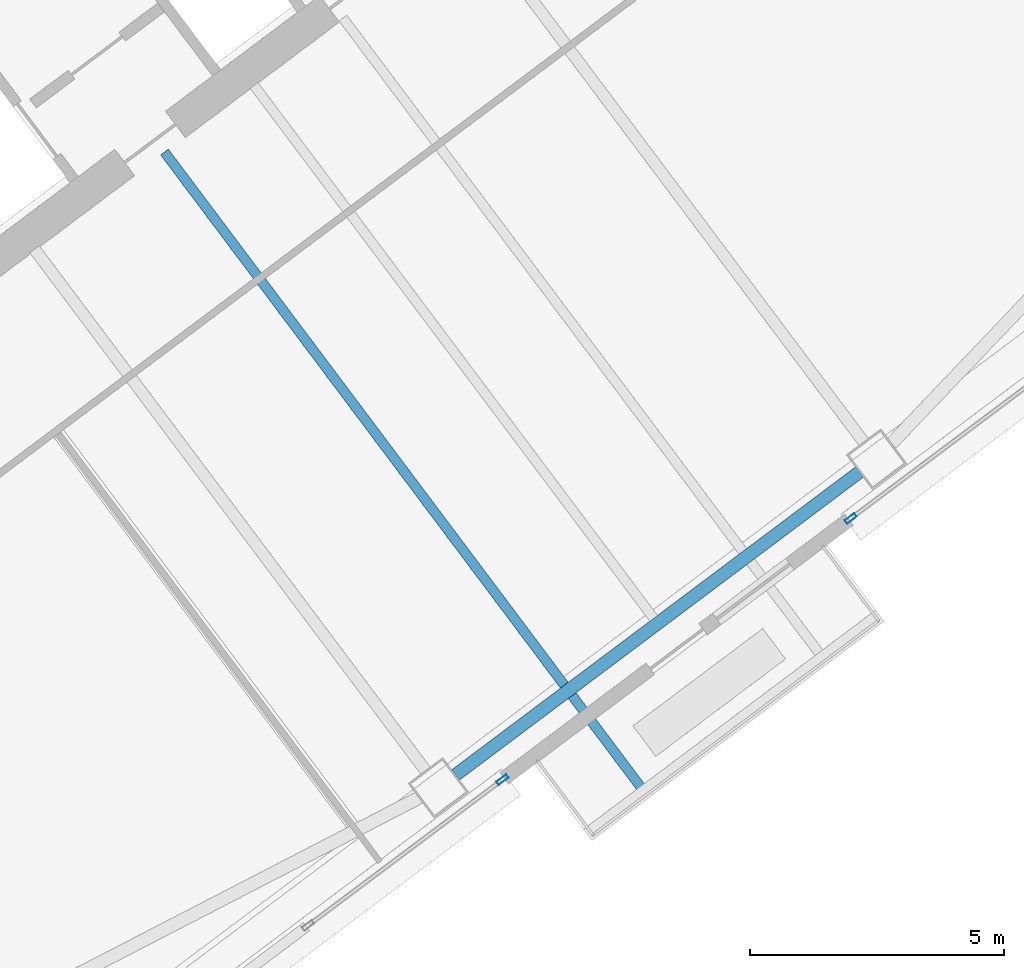
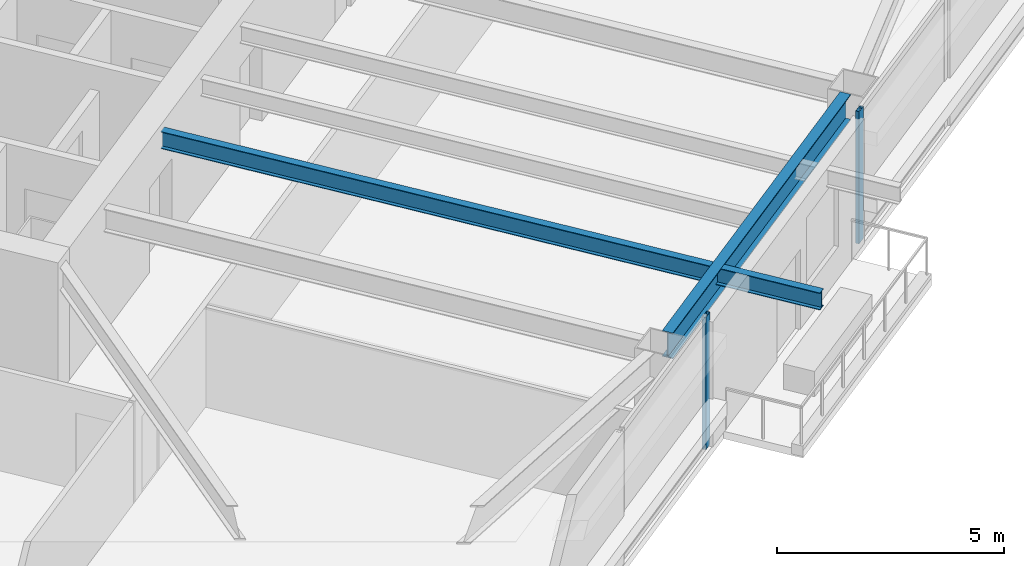
# One storey, part 26 of 51: 2 beams, 2 members, 2 elements without a shape of their own.
"""IFC4 building model written with IfcOpenShell, lengths in metres."""

from ifc_helpers import new_model, si_unit, direction, frame, origin, origin_2d, place, context, subcontext, project, spatial, hollow_rectangle, i_section, extrude, material, material_profile, profile_set, type_object, element, aggregate, save


model = new_model("IFC4")

# Units and contexts
model_context = context("Model", 3, precision=1e-05, world=origin(), true_north=direction((0.0, 1.0)))
body_context = subcontext(model_context, "Body", "Model", "MODEL_VIEW")
ifc_project = project(units=[si_unit("LENGTHUNIT", "METRE"), si_unit("AREAUNIT", "SQUARE_METRE"), si_unit("VOLUMEUNIT", "CUBIC_METRE"), si_unit("PLANEANGLEUNIT", "RADIAN"), si_unit("MASSUNIT", "GRAM", prefix="KILO")], contexts=[model_context])

# Site, building, storey
site_placement = place(None, origin())
site = spatial("IfcSite", under=ifc_project, at=site_placement, CompositionType="ELEMENT")
building_placement = place(site_placement, origin())
building = spatial("IfcBuilding", under=site, at=building_placement, Name="Tashvorn Skyway Center", CompositionType="ELEMENT")
storey_placement = place(building_placement, frame((0.0, 0.0, 49.449951171875)))
storey = spatial("IfcBuildingStorey", under=building, at=storey_placement, Name="L12", CompositionType="ELEMENT", Elevation=49.449951171875)

# Beams
ifc_material_1 = material(Name="Steel ASTM A992 Grade 50", Category="steel")
ifc_material_profile_1 = material_profile(ifc_material_1, i_section(OverallWidth=0.19091796875, OverallDepth=0.4599609375, WebThickness=0.010009765625, FlangeThickness=0.01611328125, at=origin_2d()), Name="W18X55")
ifc_profile_set_1 = profile_set([ifc_material_profile_1], Name="Steel ASTM A992 Grade 50")
beam_type_1 = type_object("IfcBeamType", Name="BM-JOIST-W18X55", PredefinedType="JOIST", material=ifc_profile_set_1)
beam_1_placement = place(storey_placement, frame((116.907958984375, 24.4560546875, 3.1201171875), z_axis=(0.600007430982, -0.79999442671, 0.0), x_axis=(0.79999442671, 0.600007430982, 0.0)))
element("IfcBeam", 1, at=beam_1_placement, inside=storey, type_object=beam_type_1, Name="Tower 2 L13 Terrace Cantilever Outlooker 1", PredefinedType="JOIST", context=body_context, shape_type="SweptSolid", body=[
    extrude(i_section(OverallWidth=0.19091796875, OverallDepth=0.4599609375, WebThickness=0.010009765625, FlangeThickness=0.01611328125, at=origin_2d()), origin(), (0.0, 0.0, 1.0), 15.77001953125),
])
ifc_material_profile_2 = material_profile(ifc_material_1, i_section(OverallWidth=0.256103515625, OverallDepth=0.693115234375, WebThickness=0.014404296875, FlangeThickness=0.023681640625, at=origin_2d()), Name="W27X114")
ifc_profile_set_2 = profile_set([ifc_material_profile_2], Name="Steel ASTM A992 Grade 50")
beam_type_2 = type_object("IfcBeamType", Name="BM-SPANDREL-W27X114", PredefinedType="SPANDREL", material=ifc_profile_set_2)
beam_2_placement = place(storey_placement, frame((122.64599609375, 12.172119140625, 3.003662109375), z_axis=(0.800008824351, 0.599988234018, 0.0), x_axis=(-0.599988234018, 0.800008824351, 0.0)))
element("IfcBeam", 2, at=beam_2_placement, inside=storey, type_object=beam_type_2, Name="Tower 2 L12 Spandrel Beam 02", PredefinedType="SPANDREL", context=body_context, shape_type="SweptSolid", body=[
    extrude(i_section(OverallWidth=0.256103515625, OverallDepth=0.693115234375, WebThickness=0.014404296875, FlangeThickness=0.023681640625, at=origin_2d()), origin(), (0.0, 0.0, 1.0), 9.9599609375),
])

# Curtain wall, member
ifc_material_2 = material(Name="Thermally broken bronze-anodized aluminium 6063-T6", Category="aluminium")
curtain_wall_type = type_object("IfcCurtainWallType", Name="CW-CW-Z1", PredefinedType="NOTDEFINED", material=ifc_material_2)
curtain_wall_1_placement = place(storey_placement, origin())
curtain_wall_1 = element("IfcCurtainWall", 3, at=curtain_wall_1_placement, inside=storey, type_object=curtain_wall_type, Name="Tower 2 L12 South Curtain Wall L Glazing Group 2", PredefinedType="NOTDEFINED")
ifc_material_profile_3 = material_profile(ifc_material_2, hollow_rectangle(XDim=0.0849609375, YDim=0.239990234375, WallThickness=0.0048828125, at=origin_2d()), Name="ALU-MULL-85x240")
ifc_profile_set_3 = profile_set([ifc_material_profile_3], Name="Thermally broken bronze-anodized aluminium 6063-T6")
member_type = type_object("IfcMemberType", Name="CWM-CW-Z1", PredefinedType="MULLION", material=ifc_profile_set_3)
member_1_placement = place(storey_placement, frame((130.44189453125, 17.2314453125, 0.0), z_axis=(0.0, 0.0, 1.0), x_axis=(0.600003280937, -0.799997539287, 0.0)))
member_1 = element("IfcMember", 4, at=member_1_placement, type_object=member_type, Name="CW-Z1 mullion 2", PredefinedType="MULLION", context=body_context, shape_type="SweptSolid", body=[
    extrude(hollow_rectangle(XDim=0.0849609375, YDim=0.239990234375, WallThickness=0.0048828125, at=origin_2d()), origin(), (0.0, 0.0, 1.0), 3.550048828125),
])
aggregate(curtain_wall_1, [member_1])

curtain_wall_2_placement = place(storey_placement, origin())
curtain_wall_2 = element("IfcCurtainWall", 5, at=curtain_wall_2_placement, inside=storey, type_object=curtain_wall_type, Name="Tower 2 L12 South Curtain Wall R Glazing Group 1", PredefinedType="NOTDEFINED")
member_2_placement = place(storey_placement, frame((123.573974609375, 12.08056640625, 0.0), z_axis=(0.0, 0.0, 1.0), x_axis=(0.600003280937, -0.799997539287, 0.0)))
member_2 = element("IfcMember", 6, at=member_2_placement, type_object=member_type, Name="CW-Z1 mullion 1", PredefinedType="MULLION", context=body_context, shape_type="SweptSolid", body=[
    extrude(hollow_rectangle(XDim=0.0849609375, YDim=0.239990234375, WallThickness=0.0048828125, at=origin_2d()), origin(), (0.0, 0.0, 1.0), 3.550048828125),
])
aggregate(curtain_wall_2, [member_2])

save(model, "model.ifc")
